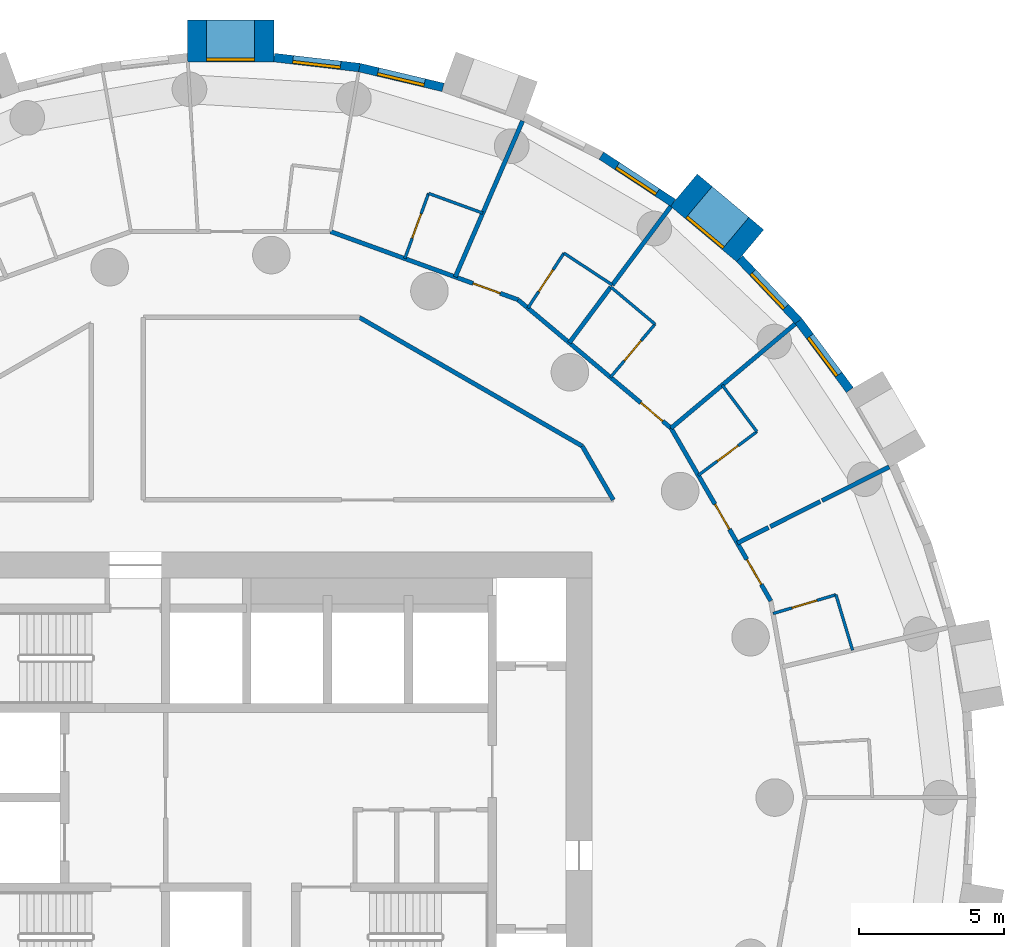
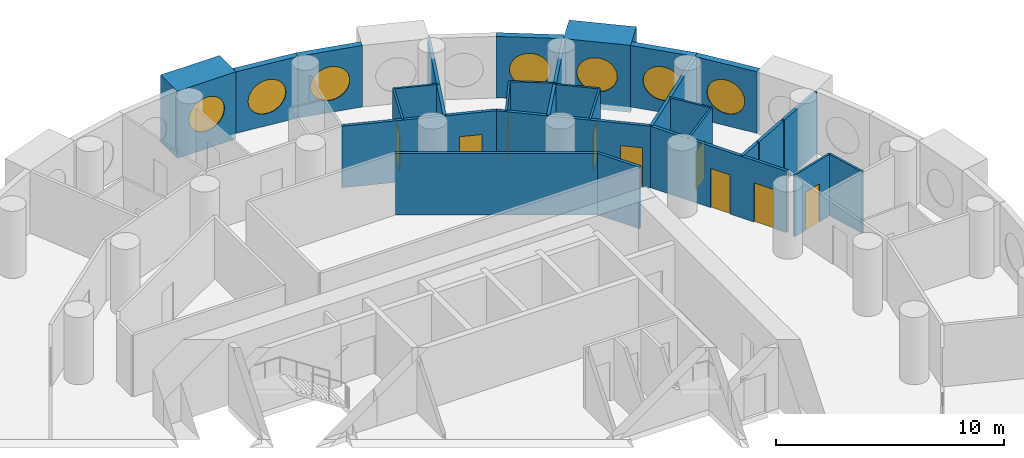
# One storey, part 7 of 9: 29 walls, 9 doors, 7 windows, 16 openings.
"""IFC4 building model written with IfcOpenShell, lengths in metres."""

from ifc_helpers import new_model, si_unit, direction, frame, frame_2d, origin, origin_2d, place, context, subcontext, project, spatial, rectangle, circle, extrude, material, layer, layer_set, type_object, element, fill, save


model = new_model("IFC4")

# Units and contexts
model_context = context("Model", 3, precision=1e-05, world=origin(), true_north=direction((0.0, 1.0)))
body_context = subcontext(model_context, "Body", "Model", "MODEL_VIEW")
ifc_project = project(units=[si_unit("LENGTHUNIT", "METRE"), si_unit("AREAUNIT", "SQUARE_METRE"), si_unit("VOLUMEUNIT", "CUBIC_METRE"), si_unit("PLANEANGLEUNIT", "RADIAN"), si_unit("MASSUNIT", "GRAM", prefix="KILO")], contexts=[model_context])

# Site, building, storey
site_placement = place(None, origin())
site = spatial("IfcSite", under=ifc_project, at=site_placement, CompositionType="ELEMENT")
building_placement = place(site_placement, origin())
building = spatial("IfcBuilding", under=site, at=building_placement, Name="Tracery Tower", CompositionType="ELEMENT")
storey_placement = place(building_placement, frame((0.0, 0.0, 165.60009765625)))
storey = spatial("IfcBuildingStorey", under=building, at=storey_placement, Name="L42", CompositionType="ELEMENT", Elevation=165.60009765625)

# Wall, opening, window
ifc_material_1 = material(Name="Precast concrete C50/60", Category="concrete")
ifc_layer_1 = layer(ifc_material_1, 1.449951171875)
ifc_layer_set_1 = layer_set([ifc_layer_1], Name="Deep-set bay unit 3000 x 3600, slab edge 300")
wall_type_1 = type_object("IfcWallType", Name="Deep-set bay unit 3000 x 3600, slab edge 300", PredefinedType="ELEMENTEDWALL", material=ifc_layer_set_1)
wall_1_placement = place(storey_placement, frame((17.9765625, 19.090087890625, -0.300048828125), z_axis=(0.0, 0.0, 1.0), x_axis=(-0.766022196139, 0.642814121673, 0.0)))
wall_1 = element("IfcWall", 1, at=wall_1_placement, inside=storey, type_object=wall_type_1, Name="Deep-set bay unit 8 at L42", PredefinedType="ELEMENTEDWALL", context=body_context, shape_type="SweptSolid", body=[
    extrude(rectangle(XDim=3.0, YDim=1.449951171875, at=frame_2d((1.5, 0.0))), origin(), (0.0, 0.0, 1.0), 3.599853515625),
])
opening_1_placement = place(wall_1_placement, frame((1.5, 0.0, 1.85009765625)))
opening_1 = element("IfcOpeningElement", 2, at=opening_1_placement, cuts=wall_1, Name="Opening WN1", PredefinedType="OPENING", context=body_context, shape_type="SweptSolid", body=[
    extrude(circle(Radius=0.9000244140625, at=origin_2d()), frame((0.0, 0.73486328125, 0.0), z_axis=(0.0, -1.0, 0.0), x_axis=(1.0, 0.0, 0.0)), (0.0, 0.0, 1.0), 1.469970703125),
])
ifc_material_2 = material(Name="Aluminium frame with tinted double glazing", Category="aluminium")
window_type = type_object("IfcWindowType", Name="Round window 1800", PartitioningType="SINGLE_PANEL", PredefinedType="WINDOW", material=ifc_material_2)
window_1_placement = place(opening_1_placement, origin())
window_1 = element("IfcWindow", 3, at=window_1_placement, inside=storey, type_object=window_type, Name="Round window 8 at L42", OverallHeight=1.800048828125, OverallWidth=1.800048828125, PartitioningType="SINGLE_PANEL", PredefinedType="WINDOW", context=body_context, shape_type="SweptSolid", body=[
    extrude(circle(Radius=0.9000244140625, at=origin_2d()), frame((0.0, 0.69482421875, 0.0), z_axis=(0.0, -1.0, 0.0), x_axis=(1.0, 0.0, 0.0)), (0.0, 0.0, 1.0), 0.10009765625),
])
fill(opening_1, window_1)

wall_2_placement = place(storey_placement, frame((1.5, 26.178955078125, -0.300048828125), z_axis=(0.0, 0.0, 1.0), x_axis=(-1.0, 0.0, 0.0)))
wall_2 = element("IfcWall", 4, at=wall_2_placement, inside=storey, type_object=wall_type_1, Name="Deep-set bay unit 14 at L42", PredefinedType="ELEMENTEDWALL", context=body_context, shape_type="SweptSolid", body=[
    extrude(rectangle(XDim=3.0, YDim=1.449951171875, at=frame_2d((1.5, 0.0))), origin(), (0.0, 0.0, 1.0), 3.599853515625),
])
opening_2_placement = place(wall_2_placement, frame((1.5, 0.0, 1.85009765625)))
opening_2 = element("IfcOpeningElement", 5, at=opening_2_placement, cuts=wall_2, Name="Opening WN1", PredefinedType="OPENING", context=body_context, shape_type="SweptSolid", body=[
    extrude(circle(Radius=0.9000244140625, at=origin_2d()), frame((0.0, 0.73486328125, 0.0), z_axis=(0.0, -1.0, 0.0), x_axis=(1.0, 0.0, 0.0)), (0.0, 0.0, 1.0), 1.469970703125),
])
window_2_placement = place(opening_2_placement, origin())
window_2 = element("IfcWindow", 6, at=window_2_placement, inside=storey, type_object=window_type, Name="Round window 14 at L42", OverallHeight=1.800048828125, OverallWidth=1.800048828125, PartitioningType="SINGLE_PANEL", PredefinedType="WINDOW", context=body_context, shape_type="SweptSolid", body=[
    extrude(circle(Radius=0.9000244140625, at=origin_2d()), frame((0.0, 0.69482421875, 0.0), z_axis=(0.0, -1.0, 0.0), x_axis=(1.0, 0.0, 0.0)), (0.0, 0.0, 1.0), 0.10009765625),
])
fill(opening_2, window_2)

ifc_material_3 = material(Name="Precast concrete C50/60", Category="concrete")
ifc_layer_2 = layer(ifc_material_3, 0.300048828125)
ifc_layer_set_2 = layer_set([ifc_layer_2], Name="Facade panel 3000 x 3300")
wall_type_2 = type_object("IfcWallType", Name="Facade panel 3000 x 3300", PredefinedType="SOLIDWALL", material=ifc_layer_set_2)
wall_3_placement = place(storey_placement, frame((21.42236328125, 14.101318359375, 0.0), z_axis=(0.0, 0.0, 1.0), x_axis=(-0.597197580538, 0.80209416517, 0.0)))
wall_3 = element("IfcWall", 7, at=wall_3_placement, inside=storey, type_object=wall_type_2, Name="Facade panel 6 at L42", PredefinedType="SOLIDWALL", context=body_context, shape_type="SweptSolid", body=[
    extrude(rectangle(XDim=2.972900390625, YDim=0.300048828125, at=frame_2d((1.486328125, 0.0))), origin(), (0.0, 0.0, 1.0), 3.2998046875),
])
opening_3_placement = place(wall_3_placement, frame((1.486328125, 0.0, 1.5498046875)))
opening_3 = element("IfcOpeningElement", 8, at=opening_3_placement, cuts=wall_3, Name="Opening WN1", PredefinedType="OPENING", context=body_context, shape_type="SweptSolid", body=[
    extrude(circle(Radius=0.9000244140625, at=origin_2d()), frame((0.0, 0.159912109375, 0.0), z_axis=(0.0, -1.0, 0.0), x_axis=(1.0, 0.0, 0.0)), (0.0, 0.0, 1.0), 0.320068359375),
])
window_3_placement = place(opening_3_placement, origin())
window_3 = element("IfcWindow", 9, at=window_3_placement, inside=storey, type_object=window_type, Name="Round window 6 at L42", OverallHeight=1.800048828125, OverallWidth=1.800048828125, PartitioningType="SINGLE_PANEL", PredefinedType="WINDOW", context=body_context, shape_type="SweptSolid", body=[
    extrude(circle(Radius=0.9000244140625, at=origin_2d()), frame((0.0, 0.1201171875, 0.0), z_axis=(0.0, -1.0, 0.0), x_axis=(1.0, 0.0, 0.0)), (0.0, 0.0, 1.0), 0.10009765625),
])
fill(opening_3, window_3)

wall_4_placement = place(storey_placement, frame((19.64697265625, 16.48583984375, 0.0), z_axis=(0.0, 0.0, 1.0), x_axis=(-0.686235184166, 0.727379730273, 0.0)))
wall_4 = element("IfcWall", 10, at=wall_4_placement, inside=storey, type_object=wall_type_2, Name="Facade panel 7 at L42", PredefinedType="SOLIDWALL", context=body_context, shape_type="SweptSolid", body=[
    extrude(rectangle(XDim=2.972900390625, YDim=0.300048828125, at=frame_2d((1.486328125, 0.0))), origin(), (0.0, 0.0, 1.0), 3.2998046875),
])
opening_4_placement = place(wall_4_placement, frame((1.486328125, 0.0, 1.5498046875)))
opening_4 = element("IfcOpeningElement", 11, at=opening_4_placement, cuts=wall_4, Name="Opening WN1", PredefinedType="OPENING", context=body_context, shape_type="SweptSolid", body=[
    extrude(circle(Radius=0.9000244140625, at=origin_2d()), frame((0.0, 0.159912109375, 0.0), z_axis=(0.0, -1.0, 0.0), x_axis=(1.0, 0.0, 0.0)), (0.0, 0.0, 1.0), 0.320068359375),
])
window_4_placement = place(opening_4_placement, origin())
window_4 = element("IfcWindow", 12, at=window_4_placement, inside=storey, type_object=window_type, Name="Round window 7 at L42", OverallHeight=1.800048828125, OverallWidth=1.800048828125, PartitioningType="SINGLE_PANEL", PredefinedType="WINDOW", context=body_context, shape_type="SweptSolid", body=[
    extrude(circle(Radius=0.9000244140625, at=origin_2d()), frame((0.0, 0.1201171875, 0.0), z_axis=(0.0, -1.0, 0.0), x_axis=(1.0, 0.0, 0.0)), (0.0, 0.0, 1.0), 0.10009765625),
])
fill(opening_4, window_4)

wall_5_placement = place(storey_placement, frame((15.3076171875, 20.57763671875, 0.0), z_axis=(0.0, 0.0, 1.0), x_axis=(-0.835470659512, 0.549535055382, 0.0)))
wall_5 = element("IfcWall", 13, at=wall_5_placement, inside=storey, type_object=wall_type_2, Name="Facade panel 9 at L42", PredefinedType="SOLIDWALL", context=body_context, shape_type="SweptSolid", body=[
    extrude(rectangle(XDim=2.97314453125, YDim=0.300048828125, at=frame_2d((1.486572265625, 0.0))), origin(), (0.0, 0.0, 1.0), 3.2998046875),
])
opening_5_placement = place(wall_5_placement, frame((1.486328125, 0.0, 1.5498046875)))
opening_5 = element("IfcOpeningElement", 14, at=opening_5_placement, cuts=wall_5, Name="Opening WN1", PredefinedType="OPENING", context=body_context, shape_type="SweptSolid", body=[
    extrude(circle(Radius=0.9000244140625, at=origin_2d()), frame((0.0, 0.159912109375, 0.0), z_axis=(0.0, -1.0, 0.0), x_axis=(1.0, 0.0, 0.0)), (0.0, 0.0, 1.0), 0.320068359375),
])
window_5_placement = place(opening_5_placement, origin())
window_5 = element("IfcWindow", 15, at=window_5_placement, inside=storey, type_object=window_type, Name="Round window 9 at L42", OverallHeight=1.800048828125, OverallWidth=1.800048828125, PartitioningType="SINGLE_PANEL", PredefinedType="WINDOW", context=body_context, shape_type="SweptSolid", body=[
    extrude(circle(Radius=0.9000244140625, at=origin_2d()), frame((0.0, 0.1201171875, 0.0), z_axis=(0.0, -1.0, 0.0), x_axis=(1.0, 0.0, 0.0)), (0.0, 0.0, 1.0), 0.10009765625),
])
fill(opening_5, window_5)

wall_6_placement = place(storey_placement, frame((7.346435546875, 24.572265625, 0.0), z_axis=(0.0, 0.0, 1.0), x_axis=(-0.973049746156, 0.230595298102, 0.0)))
wall_6 = element("IfcWall", 16, at=wall_6_placement, inside=storey, type_object=wall_type_2, Name="Facade panel 12 at L42", PredefinedType="SOLIDWALL", context=body_context, shape_type="SweptSolid", body=[
    extrude(rectangle(XDim=2.972900390625, YDim=0.300048828125, at=frame_2d((1.486328125, 0.0))), origin(), (0.0, 0.0, 1.0), 3.2998046875),
])
opening_6_placement = place(wall_6_placement, frame((1.486328125, 0.0, 1.5498046875)))
opening_6 = element("IfcOpeningElement", 17, at=opening_6_placement, cuts=wall_6, Name="Opening WN1", PredefinedType="OPENING", context=body_context, shape_type="SweptSolid", body=[
    extrude(circle(Radius=0.9000244140625, at=origin_2d()), frame((0.0, 0.159912109375, 0.0), z_axis=(0.0, -1.0, 0.0), x_axis=(1.0, 0.0, 0.0)), (0.0, 0.0, 1.0), 0.320068359375),
])
window_6_placement = place(opening_6_placement, origin())
window_6 = element("IfcWindow", 18, at=window_6_placement, inside=storey, type_object=window_type, Name="Round window 12 at L42", OverallHeight=1.800048828125, OverallWidth=1.800048828125, PartitioningType="SINGLE_PANEL", PredefinedType="WINDOW", context=body_context, shape_type="SweptSolid", body=[
    extrude(circle(Radius=0.9000244140625, at=origin_2d()), frame((0.0, 0.1201171875, 0.0), z_axis=(0.0, -1.0, 0.0), x_axis=(1.0, 0.0, 0.0)), (0.0, 0.0, 1.0), 0.10009765625),
])
fill(opening_6, window_6)

wall_7_placement = place(storey_placement, frame((4.45361328125, 25.2578125, 0.0), z_axis=(0.0, 0.0, 1.0), x_axis=(-0.993235542767, 0.116116995244, 0.0)))
wall_7 = element("IfcWall", 19, at=wall_7_placement, inside=storey, type_object=wall_type_2, Name="Facade panel 13 at L42", PredefinedType="SOLIDWALL", context=body_context, shape_type="SweptSolid", body=[
    extrude(rectangle(XDim=2.972900390625, YDim=0.300048828125, at=frame_2d((1.486328125, 0.0))), origin(), (0.0, 0.0, 1.0), 3.2998046875),
])
opening_7_placement = place(wall_7_placement, frame((1.486328125, 0.0, 1.5498046875)))
opening_7 = element("IfcOpeningElement", 20, at=opening_7_placement, cuts=wall_7, Name="Opening WN1", PredefinedType="OPENING", context=body_context, shape_type="SweptSolid", body=[
    extrude(circle(Radius=0.9000244140625, at=origin_2d()), frame((0.0, 0.159912109375, 0.0), z_axis=(0.0, -1.0, 0.0), x_axis=(1.0, 0.0, 0.0)), (0.0, 0.0, 1.0), 0.320068359375),
])
window_7_placement = place(opening_7_placement, origin())
window_7 = element("IfcWindow", 21, at=window_7_placement, inside=storey, type_object=window_type, Name="Round window 13 at L42", OverallHeight=1.800048828125, OverallWidth=1.800048828125, PartitioningType="SINGLE_PANEL", PredefinedType="WINDOW", context=body_context, shape_type="SweptSolid", body=[
    extrude(circle(Radius=0.9000244140625, at=origin_2d()), frame((0.0, 0.1201171875, 0.0), z_axis=(0.0, -1.0, 0.0), x_axis=(1.0, 0.0, 0.0)), (0.0, 0.0, 1.0), 0.10009765625),
])
fill(opening_7, window_7)

# Wall
ifc_material_4 = material(Name="Plasterboard on steel studs", Category="steel")
ifc_layer_3 = layer(ifc_material_4, 0.10009765625)
ifc_layer_set_3 = layer_set([ifc_layer_3], Name="Partition 100 wet wall")
wall_type_3 = type_object("IfcWallType", Name="Partition 100 wet wall", PredefinedType="PARTITIONING", material=ifc_layer_set_3)
wall_8_placement = place(storey_placement, frame((20.94091796875, 7.01806640625, 0.0), z_axis=(0.0, 0.0, 1.0), x_axis=(0.287124264191, -0.957893343182, 0.0)))
element("IfcWall", 22, at=wall_8_placement, inside=storey, type_object=wall_type_3, Name="Wet wall RB4-043", PredefinedType="PARTITIONING", context=body_context, shape_type="SweptSolid", body=[
    extrude(rectangle(XDim=2.00341796875, YDim=0.10009765625, at=frame_2d((1.001708984375, 0.0))), origin(), (0.0, 0.0, 1.0), 3.2998046875),
])

# Wall, opening, door
wall_9_placement = place(storey_placement, frame((18.764892578125, 6.366943359375, 0.0), z_axis=(0.0, 0.0, 1.0), x_axis=(0.958030169919, 0.286667391807, 0.0)))
wall_9 = element("IfcWall", 23, at=wall_9_placement, inside=storey, type_object=wall_type_3, Name="Wet wall RB4-044", PredefinedType="PARTITIONING", context=body_context, shape_type="SweptSolid", body=[
    extrude(rectangle(XDim=2.271240234375, YDim=0.10009765625, at=frame_2d((1.1357421875, 0.0))), origin(), (0.0, 0.0, 1.0), 3.2998046875),
])
opening_8_placement = place(wall_9_placement, frame((0.685302734375, 0.0, 0.0)))
opening_8 = element("IfcOpeningElement", 24, at=opening_8_placement, cuts=wall_9, Name="Opening RB4-07", PredefinedType="OPENING", context=body_context, shape_type="SweptSolid", body=[
    extrude(rectangle(XDim=0.89990234375, YDim=2.0400390625, at=frame_2d((0.449951171875, 1.02001953125))), frame((0.0, 0.050048828125, 0.0), z_axis=(0.0, -1.0, 0.0), x_axis=(1.0, 0.0, 0.0)), (0.0, 0.0, 1.0), 0.10009765625),
])
ifc_material_5 = material(Name="Timber door leaf", Category="wood")
door_type_1 = type_object("IfcDoorType", Name="Door en-suite 900", OperationType="NOTDEFINED", PredefinedType="DOOR", material=ifc_material_5)
door_1_placement = place(opening_8_placement, origin())
door_1 = element("IfcDoor", 25, at=door_1_placement, inside=storey, type_object=door_type_1, Name="En-suite door RB4-07", OperationType="SINGLE_SWING_RIGHT", OverallHeight=2.0400390625, OverallWidth=0.89990234375, PredefinedType="DOOR", context=body_context, shape_type="SweptSolid", body=[
    extrude(rectangle(XDim=0.89990234375, YDim=2.0400390625, at=frame_2d((0.449951171875, 1.02001953125))), frame((0.0, 0.02490234375, 0.0), z_axis=(0.0, -1.0, 0.0), x_axis=(1.0, 0.0, 0.0)), (0.0, 0.0, 1.0), 0.050048828125),
])
fill(opening_8, door_1)

wall_10_placement = place(storey_placement, frame((16.177978515625, 11.14990234375, 0.0), z_axis=(0.0, 0.0, 1.0), x_axis=(0.8020923136, 0.597200067367, 0.0)))
wall_10 = element("IfcWall", 26, at=wall_10_placement, inside=storey, type_object=wall_type_3, Name="Wet wall RB4-048", PredefinedType="PARTITIONING", context=body_context, shape_type="SweptSolid", body=[
    extrude(rectangle(XDim=2.528564453125, YDim=0.10009765625, at=frame_2d((1.26416015625, 0.0))), origin(), (0.0, 0.0, 1.0), 3.2998046875),
])
opening_9_placement = place(wall_10_placement, frame((0.81396484375, 0.0, 0.0)))
opening_9 = element("IfcOpeningElement", 27, at=opening_9_placement, cuts=wall_10, Name="Opening RB4-09", PredefinedType="OPENING", context=body_context, shape_type="SweptSolid", body=[
    extrude(rectangle(XDim=0.89990234375, YDim=2.0400390625, at=frame_2d((0.449951171875, 1.02001953125))), frame((0.0, 0.050048828125, 0.0), z_axis=(0.0, -1.0, 0.0), x_axis=(1.0, 0.0, 0.0)), (0.0, 0.0, 1.0), 0.10009765625),
])
door_2_placement = place(opening_9_placement, origin())
door_2 = element("IfcDoor", 28, at=door_2_placement, inside=storey, type_object=door_type_1, Name="En-suite door RB4-09", OperationType="SINGLE_SWING_LEFT", OverallHeight=2.0400390625, OverallWidth=0.89990234375, PredefinedType="DOOR", context=body_context, shape_type="SweptSolid", body=[
    extrude(rectangle(XDim=0.89990234375, YDim=2.0400390625, at=frame_2d((0.449951171875, 1.02001953125))), frame((0.0, 0.02490234375, 0.0), z_axis=(0.0, -1.0, 0.0), x_axis=(1.0, 0.0, 0.0)), (0.0, 0.0, 1.0), 0.050048828125),
])
fill(opening_9, door_2)

# Wall
wall_11_placement = place(storey_placement, frame((17.007080078125, 14.27099609375, 0.0), z_axis=(0.0, 0.0, 1.0), x_axis=(0.597019866774, -0.802226450996, 0.0)))
element("IfcWall", 29, at=wall_11_placement, inside=storey, type_object=wall_type_3, Name="Wet wall RB4-049", PredefinedType="PARTITIONING", context=body_context, shape_type="SweptSolid", body=[
    extrude(rectangle(XDim=2.00830078125, YDim=0.10009765625, at=frame_2d((1.004150390625, 0.0))), origin(), (0.0, 0.0, 1.0), 3.2998046875),
])

# Wall, opening, door
wall_12_placement = place(storey_placement, frame((13.138916015625, 14.5419921875, 0.0), z_axis=(0.0, 0.0, 1.0), x_axis=(0.642731657745, 0.766091388891, 0.0)))
wall_12 = element("IfcWall", 30, at=wall_12_placement, inside=storey, type_object=wall_type_3, Name="Wet wall RB4-051", PredefinedType="PARTITIONING", context=body_context, shape_type="SweptSolid", body=[
    extrude(rectangle(XDim=2.400634765625, YDim=0.10009765625, at=frame_2d((1.2001953125, 0.0))), origin(), (0.0, 0.0, 1.0), 3.2998046875),
])
opening_10_placement = place(wall_12_placement, frame((0.75, 0.0, 0.0)))
opening_10 = element("IfcOpeningElement", 31, at=opening_10_placement, cuts=wall_12, Name="Opening RB4-11", PredefinedType="OPENING", context=body_context, shape_type="SweptSolid", body=[
    extrude(rectangle(XDim=0.89990234375, YDim=2.0400390625, at=frame_2d((0.449951171875, 1.02001953125))), frame((0.0, 0.050048828125, 0.0), z_axis=(0.0, -1.0, 0.0), x_axis=(1.0, 0.0, 0.0)), (0.0, 0.0, 1.0), 0.10009765625),
])
door_3_placement = place(opening_10_placement, origin())
door_3 = element("IfcDoor", 32, at=door_3_placement, inside=storey, type_object=door_type_1, Name="En-suite door RB4-11", OperationType="SINGLE_SWING_LEFT", OverallHeight=2.0400390625, OverallWidth=0.89990234375, PredefinedType="DOOR", context=body_context, shape_type="SweptSolid", body=[
    extrude(rectangle(XDim=0.89990234375, YDim=2.0400390625, at=frame_2d((0.449951171875, 1.02001953125))), frame((0.0, 0.02490234375, 0.0), z_axis=(0.0, -1.0, 0.0), x_axis=(1.0, 0.0, 0.0)), (0.0, 0.0, 1.0), 0.050048828125),
])
fill(opening_10, door_3)

# Walls
wall_13_placement = place(storey_placement, frame((13.15087890625, 17.6650390625, 0.0), z_axis=(0.0, 0.0, 1.0), x_axis=(0.766224532916, -0.642572925945, 0.0)))
element("IfcWall", 33, at=wall_13_placement, inside=storey, type_object=wall_type_3, Name="Wet wall RB4-052", PredefinedType="PARTITIONING", context=body_context, shape_type="SweptSolid", body=[
    extrude(rectangle(XDim=1.998046875, YDim=0.10009765625, at=frame_2d((0.9990234375, 0.0))), origin(), (0.0, 0.0, 1.0), 3.2998046875),
])
wall_14_placement = place(storey_placement, frame((11.531005859375, 18.8369140625, 0.0), z_axis=(0.0, 0.0, 1.0), x_axis=(0.835392041163, -0.549654562032, 0.0)))
element("IfcWall", 34, at=wall_14_placement, inside=storey, type_object=wall_type_3, Name="Wet wall RB4-055", PredefinedType="PARTITIONING", context=body_context, shape_type="SweptSolid", body=[
    extrude(rectangle(XDim=2.002685546875, YDim=0.10009765625, at=frame_2d((1.00146484375, 0.0))), origin(), (0.0, 0.0, 1.0), 3.2998046875),
])

# Wall, opening, door
wall_15_placement = place(storey_placement, frame((10.281982421875, 16.93896484375, 0.0), z_axis=(0.0, 0.0, 1.0), x_axis=(0.549730960803, 0.83534176882, 0.0)))
wall_15 = element("IfcWall", 35, at=wall_15_placement, inside=storey, type_object=wall_type_3, Name="Wet wall RB4-056", PredefinedType="PARTITIONING", context=body_context, shape_type="SweptSolid", body=[
    extrude(rectangle(XDim=2.27197265625, YDim=0.10009765625, at=frame_2d((1.135986328125, 0.0))), origin(), (0.0, 0.0, 1.0), 3.2998046875),
])
opening_11_placement = place(wall_15_placement, frame((0.68603515625, 0.0, 0.0)))
opening_11 = element("IfcOpeningElement", 36, at=opening_11_placement, cuts=wall_15, Name="Opening RB4-13", PredefinedType="OPENING", context=body_context, shape_type="SweptSolid", body=[
    extrude(rectangle(XDim=0.89990234375, YDim=2.0400390625, at=frame_2d((0.449951171875, 1.02001953125))), frame((0.0, 0.050048828125, 0.0), z_axis=(0.0, -1.0, 0.0), x_axis=(1.0, 0.0, 0.0)), (0.0, 0.0, 1.0), 0.10009765625),
])
door_4_placement = place(opening_11_placement, origin())
door_4 = element("IfcDoor", 37, at=door_4_placement, inside=storey, type_object=door_type_1, Name="En-suite door RB4-13", OperationType="SINGLE_SWING_LEFT", OverallHeight=2.0400390625, OverallWidth=0.89990234375, PredefinedType="DOOR", context=body_context, shape_type="SweptSolid", body=[
    extrude(rectangle(XDim=0.89990234375, YDim=2.0400390625, at=frame_2d((0.449951171875, 1.02001953125))), frame((0.0, 0.02490234375, 0.0), z_axis=(0.0, -1.0, 0.0), x_axis=(1.0, 0.0, 0.0)), (0.0, 0.0, 1.0), 0.050048828125),
])
fill(opening_11, door_4)

# Wall
wall_16_placement = place(storey_placement, frame((6.844970703125, 20.905029296875, 0.0), z_axis=(0.0, 0.0, 1.0), x_axis=(0.939757747305, -0.341841156651, 0.0)))
element("IfcWall", 38, at=wall_16_placement, inside=storey, type_object=wall_type_3, Name="Wet wall RB4-064", PredefinedType="PARTITIONING", context=body_context, shape_type="SweptSolid", body=[
    extrude(rectangle(XDim=1.998291015625, YDim=0.10009765625, at=frame_2d((0.9990234375, 0.0))), origin(), (0.0, 0.0, 1.0), 3.2998046875),
])

# Wall, opening, door
wall_17_placement = place(storey_placement, frame((6.02392578125, 18.64990234375, 0.0), z_axis=(0.0, 0.0, 1.0), x_axis=(0.342110593602, 0.939659694648, 0.0)))
wall_17 = element("IfcWall", 39, at=wall_17_placement, inside=storey, type_object=wall_type_3, Name="Wet wall RB4-065", PredefinedType="PARTITIONING", context=body_context, shape_type="SweptSolid", body=[
    extrude(rectangle(XDim=2.39990234375, YDim=0.10009765625, at=frame_2d((1.199951171875, 0.0))), origin(), (0.0, 0.0, 1.0), 3.2998046875),
])
opening_12_placement = place(wall_17_placement, frame((0.749755859375, 0.0, 0.0)))
opening_12 = element("IfcOpeningElement", 40, at=opening_12_placement, cuts=wall_17, Name="Opening RB4-19", PredefinedType="OPENING", context=body_context, shape_type="SweptSolid", body=[
    extrude(rectangle(XDim=0.89990234375, YDim=2.0400390625, at=frame_2d((0.449951171875, 1.02001953125))), frame((0.0, 0.050048828125, 0.0), z_axis=(0.0, -1.0, 0.0), x_axis=(1.0, 0.0, 0.0)), (0.0, 0.0, 1.0), 0.10009765625),
])
door_5_placement = place(opening_12_placement, origin())
door_5 = element("IfcDoor", 41, at=door_5_placement, inside=storey, type_object=door_type_1, Name="En-suite door RB4-19", OperationType="SINGLE_SWING_RIGHT", OverallHeight=2.0400390625, OverallWidth=0.89990234375, PredefinedType="DOOR", context=body_context, shape_type="SweptSolid", body=[
    extrude(rectangle(XDim=0.89990234375, YDim=2.0400390625, at=frame_2d((0.449951171875, 1.02001953125))), frame((0.0, 0.02490234375, 0.0), z_axis=(0.0, -1.0, 0.0), x_axis=(1.0, 0.0, 0.0)), (0.0, 0.0, 1.0), 0.050048828125),
])
fill(opening_12, door_5)

# Walls
ifc_material_6 = material(Name="Plasterboard on steel studs", Category="steel")
ifc_layer_4 = layer(ifc_material_6, 0.14990234375)
ifc_layer_set_4 = layer_set([ifc_layer_4], Name="Partition 150 acoustic unit wall")
wall_type_4 = type_object("IfcWallType", Name="Partition 150 acoustic unit wall", PredefinedType="PARTITIONING", material=ifc_layer_set_4)
wall_18_placement = place(storey_placement, frame((17.531982421875, 8.804931640625, 0.0), z_axis=(0.0, 0.0, 1.0), x_axis=(0.893574741649, 0.448914447403, 0.0)))
element("IfcWall", 42, at=wall_18_placement, inside=storey, type_object=wall_type_4, Name="Unit wall RB4-045", PredefinedType="PARTITIONING", context=body_context, shape_type="SweptSolid", body=[
    extrude(rectangle(XDim=1.205078125, YDim=0.14990234375, at=frame_2d((0.6025390625, 0.0))), origin(), (0.0, 0.0, 1.0), 3.2998046875),
])
wall_19_placement = place(storey_placement, frame((20.4599609375, 10.27490234375, 0.0), z_axis=(0.0, 0.0, 1.0), x_axis=(0.893543449143, 0.448976730458, 0.0)))
element("IfcWall", 43, at=wall_19_placement, inside=storey, type_object=wall_type_4, Name="Unit wall RB4-046", PredefinedType="PARTITIONING", context=body_context, shape_type="SweptSolid", body=[
    extrude(rectangle(XDim=2.60205078125, YDim=0.14990234375, at=frame_2d((1.301025390625, 0.0))), origin(), (0.0, 0.0, 1.0), 3.2998046875),
])
wall_20_placement = place(storey_placement, frame((18.669921875, 9.3759765625, 0.0), z_axis=(0.0, 0.0, 1.0), x_axis=(0.893466318026, 0.449130202227, 0.0)))
element("IfcWall", 44, at=wall_20_placement, inside=storey, type_object=wall_type_4, Name="Unit wall RB4-047", PredefinedType="PARTITIONING", context=body_context, shape_type="SweptSolid", body=[
    extrude(rectangle(XDim=1.93505859375, YDim=0.14990234375, at=frame_2d((0.967529296875, 0.0))), origin(), (0.0, 0.0, 1.0), 3.2998046875),
])
wall_21_placement = place(storey_placement, frame((15.235107421875, 12.78369140625, 0.0), z_axis=(0.0, 0.0, 1.0), x_axis=(0.766069165353, 0.642758145725, 0.0)))
element("IfcWall", 45, at=wall_21_placement, inside=storey, type_object=wall_type_4, Name="Unit wall RB4-050", PredefinedType="PARTITIONING", context=body_context, shape_type="SweptSolid", body=[
    extrude(rectangle(XDim=5.60888671875, YDim=0.14990234375, at=frame_2d((2.804443359375, 0.0))), origin(), (0.0, 0.0, 1.0), 3.2998046875),
])
wall_22_placement = place(storey_placement, frame((13.201904296875, 17.73291015625, 0.0), z_axis=(0.0, 0.0, 1.0), x_axis=(0.597149819296, 0.802129723495, 0.0)))
element("IfcWall", 46, at=wall_22_placement, inside=storey, type_object=wall_type_4, Name="Unit wall RB4-053", PredefinedType="PARTITIONING", context=body_context, shape_type="SweptSolid", body=[
    extrude(rectangle(XDim=3.3896484375, YDim=0.14990234375, at=frame_2d((1.69482421875, 0.0))), origin(), (0.0, 0.0, 1.0), 3.2998046875),
])
wall_23_placement = place(storey_placement, frame((11.716064453125, 15.737060546875, 0.0), z_axis=(0.0, 0.0, 1.0), x_axis=(0.597021412293, 0.802225300813, 0.0)))
element("IfcWall", 47, at=wall_23_placement, inside=storey, type_object=wall_type_4, Name="Unit wall RB4-054", PredefinedType="PARTITIONING", context=body_context, shape_type="SweptSolid", body=[
    extrude(rectangle(XDim=2.4033203125, YDim=0.14990234375, at=frame_2d((1.20166015625, 0.0))), origin(), (0.0, 0.0, 1.0), 3.2998046875),
])
wall_24_placement = place(storey_placement, frame((7.769775390625, 18.0146484375, 0.0), z_axis=(0.0, 0.0, 1.0), x_axis=(0.396238716554, 0.918147526002, 0.0)))
element("IfcWall", 48, at=wall_24_placement, inside=storey, type_object=wall_type_4, Name="Unit wall RB4-057", PredefinedType="PARTITIONING", context=body_context, shape_type="SweptSolid", body=[
    extrude(rectangle(XDim=5.878662109375, YDim=0.14990234375, at=frame_2d((2.939453125, 0.0))), origin(), (0.0, 0.0, 1.0), 3.2998046875),
])
ifc_material_7 = material(Name="Plasterboard on steel studs", Category="steel")
ifc_layer_5 = layer(ifc_material_7, 0.14990234375)
ifc_layer_set_5 = layer_set([ifc_layer_5], Name="Partition 150 corridor wall")
wall_type_5 = type_object("IfcWallType", Name="Partition 150 corridor wall", PredefinedType="PARTITIONING", material=ifc_layer_set_5)
wall_25_placement = place(storey_placement, frame((12.162109375, 12.162109375, 0.0), z_axis=(0.0, 0.0, 1.0), x_axis=(0.499961633463, -0.866047553582, 0.0)))
element("IfcWall", 49, at=wall_25_placement, inside=storey, type_object=wall_type_5, Name="Corridor wall RB4-005", PredefinedType="PARTITIONING", context=body_context, shape_type="SweptSolid", body=[
    extrude(rectangle(XDim=2.150146484375, YDim=0.14990234375, at=frame_2d((1.0751953125, 0.0))), origin(), (0.0, 0.0, 1.0), 3.2998046875),
])

# Wall, openings, doors
wall_26_placement = place(storey_placement, frame((15.23486328125, 12.783935546875, 0.0), z_axis=(0.0, 0.0, 1.0), x_axis=(0.499940714931, -0.86605962933, 0.0)))
wall_26 = element("IfcWall", 50, at=wall_26_placement, inside=storey, type_object=wall_type_5, Name="Corridor wall RB4-008", PredefinedType="PARTITIONING", context=body_context, shape_type="SweptSolid", body=[
    extrude(rectangle(XDim=6.906982421875, YDim=0.14990234375, at=frame_2d((3.45361328125, 0.0))), origin(), (0.0, 0.0, 1.0), 3.2998046875),
])
opening_13_placement = place(wall_26_placement, frame((5.248779296875, 0.0, 0.0)))
opening_13 = element("IfcOpeningElement", 51, at=opening_13_placement, cuts=wall_26, Name="Opening RB4-08", PredefinedType="OPENING", context=body_context, shape_type="SweptSolid", body=[
    extrude(rectangle(XDim=1.0, YDim=2.10009765625, at=frame_2d((0.5, 1.050048828125))), frame((0.0, 0.074951171875, 0.0), z_axis=(0.0, -1.0, 0.0), x_axis=(1.0, 0.0, 0.0)), (0.0, 0.0, 1.0), 0.14990234375),
])
opening_14_placement = place(wall_26_placement, frame((3.041015625, 0.0, 0.0)))
opening_14 = element("IfcOpeningElement", 52, at=opening_14_placement, cuts=wall_26, Name="Opening RB4-10", PredefinedType="OPENING", context=body_context, shape_type="SweptSolid", body=[
    extrude(rectangle(XDim=1.0, YDim=2.10009765625, at=frame_2d((0.5, 1.050048828125))), frame((0.0, 0.074951171875, 0.0), z_axis=(0.0, -1.0, 0.0), x_axis=(1.0, 0.0, 0.0)), (0.0, 0.0, 1.0), 0.14990234375),
])
ifc_material_8 = material(Name="Timber door leaf", Category="wood")
door_type_2 = type_object("IfcDoorType", Name="Door unit entrance 1000", OperationType="NOTDEFINED", PredefinedType="DOOR", material=ifc_material_8)
door_6_placement = place(opening_13_placement, origin())
door_6 = element("IfcDoor", 53, at=door_6_placement, inside=storey, type_object=door_type_2, Name="Unit entrance door RB4-08", OperationType="SINGLE_SWING_LEFT", OverallHeight=2.10009765625, OverallWidth=1.0, PredefinedType="DOOR", context=body_context, shape_type="SweptSolid", body=[
    extrude(rectangle(XDim=1.0, YDim=2.10009765625, at=frame_2d((0.5, 1.050048828125))), frame((0.0, 0.02490234375, 0.0), z_axis=(0.0, -1.0, 0.0), x_axis=(1.0, 0.0, 0.0)), (0.0, 0.0, 1.0), 0.050048828125),
])
fill(opening_13, door_6)
door_7_placement = place(opening_14_placement, origin())
door_7 = element("IfcDoor", 54, at=door_7_placement, inside=storey, type_object=door_type_2, Name="Unit entrance door RB4-10", OperationType="SINGLE_SWING_RIGHT", OverallHeight=2.10009765625, OverallWidth=1.0, PredefinedType="DOOR", context=body_context, shape_type="SweptSolid", body=[
    extrude(rectangle(XDim=1.0, YDim=2.10009765625, at=frame_2d((0.5, 1.050048828125))), frame((0.0, 0.02490234375, 0.0), z_axis=(0.0, -1.0, 0.0), x_axis=(1.0, 0.0, 0.0)), (0.0, 0.0, 1.0), 0.050048828125),
])
fill(opening_14, door_7)

# Wall, opening, door
wall_27_placement = place(storey_placement, frame((9.943359375, 17.22216796875, 0.0), z_axis=(0.0, 0.0, 1.0), x_axis=(0.766192104565, -0.642611592567, 0.0)))
wall_27 = element("IfcWall", 55, at=wall_27_placement, inside=storey, type_object=wall_type_5, Name="Corridor wall RB4-009", PredefinedType="PARTITIONING", context=body_context, shape_type="SweptSolid", body=[
    extrude(rectangle(XDim=6.906494140625, YDim=0.14990234375, at=frame_2d((3.453125, 0.0))), origin(), (0.0, 0.0, 1.0), 3.2998046875),
])
opening_15_placement = place(wall_27_placement, frame((5.53662109375, 0.0, 0.0)))
opening_15 = element("IfcOpeningElement", 56, at=opening_15_placement, cuts=wall_27, Name="Opening RB4-12", PredefinedType="OPENING", context=body_context, shape_type="SweptSolid", body=[
    extrude(rectangle(XDim=1.0, YDim=2.10009765625, at=frame_2d((0.5, 1.050048828125))), frame((0.0, 0.074951171875, 0.0), z_axis=(0.0, -1.0, 0.0), x_axis=(1.0, 0.0, 0.0)), (0.0, 0.0, 1.0), 0.14990234375),
])
door_8_placement = place(opening_15_placement, origin())
door_8 = element("IfcDoor", 57, at=door_8_placement, inside=storey, type_object=door_type_2, Name="Unit entrance door RB4-12", OperationType="SINGLE_SWING_RIGHT", OverallHeight=2.10009765625, OverallWidth=1.0, PredefinedType="DOOR", context=body_context, shape_type="SweptSolid", body=[
    extrude(rectangle(XDim=1.0, YDim=2.10009765625, at=frame_2d((0.5, 1.050048828125))), frame((0.0, 0.02490234375, 0.0), z_axis=(0.0, -1.0, 0.0), x_axis=(1.0, 0.0, 0.0)), (0.0, 0.0, 1.0), 0.050048828125),
])
fill(opening_15, door_8)

# Wall
wall_28_placement = place(storey_placement, frame((4.451904296875, 16.614013671875, 0.0), z_axis=(0.0, 0.0, 1.0), x_axis=(0.866005203721, -0.500034985904, 0.0)))
element("IfcWall", 58, at=wall_28_placement, inside=storey, type_object=wall_type_5, Name="Corridor wall RB4-015", PredefinedType="PARTITIONING", context=body_context, shape_type="SweptSolid", body=[
    extrude(rectangle(XDim=8.903076171875, YDim=0.14990234375, at=frame_2d((4.45166015625, 0.0))), origin(), (0.0, 0.0, 1.0), 3.2998046875),
])

# Wall, opening, door
wall_29_placement = place(storey_placement, frame((3.452392578125, 19.584716796875, 0.0), z_axis=(0.0, 0.0, 1.0), x_axis=(0.939737689664, -0.341896292208, 0.0)))
wall_29 = element("IfcWall", 59, at=wall_29_placement, inside=storey, type_object=wall_type_5, Name="Corridor wall RB4-018", PredefinedType="PARTITIONING", context=body_context, shape_type="SweptSolid", body=[
    extrude(rectangle(XDim=6.907958984375, YDim=0.14990234375, at=frame_2d((3.4541015625, 0.0))), origin(), (0.0, 0.0, 1.0), 3.2998046875),
])
opening_16_placement = place(wall_29_placement, frame((5.2490234375, 0.0, 0.0)))
opening_16 = element("IfcOpeningElement", 60, at=opening_16_placement, cuts=wall_29, Name="Opening RB4-14", PredefinedType="OPENING", context=body_context, shape_type="SweptSolid", body=[
    extrude(rectangle(XDim=1.0, YDim=2.10009765625, at=frame_2d((0.5, 1.050048828125))), frame((0.0, 0.074951171875, 0.0), z_axis=(0.0, -1.0, 0.0), x_axis=(1.0, 0.0, 0.0)), (0.0, 0.0, 1.0), 0.14990234375),
])
door_9_placement = place(opening_16_placement, origin())
door_9 = element("IfcDoor", 61, at=door_9_placement, inside=storey, type_object=door_type_2, Name="Unit entrance door RB4-14", OperationType="SINGLE_SWING_LEFT", OverallHeight=2.10009765625, OverallWidth=1.0, PredefinedType="DOOR", context=body_context, shape_type="SweptSolid", body=[
    extrude(rectangle(XDim=1.0, YDim=2.10009765625, at=frame_2d((0.5, 1.050048828125))), frame((0.0, 0.02490234375, 0.0), z_axis=(0.0, -1.0, 0.0), x_axis=(1.0, 0.0, 0.0)), (0.0, 0.0, 1.0), 0.050048828125),
])
fill(opening_16, door_9)

save(model, "model.ifc")
